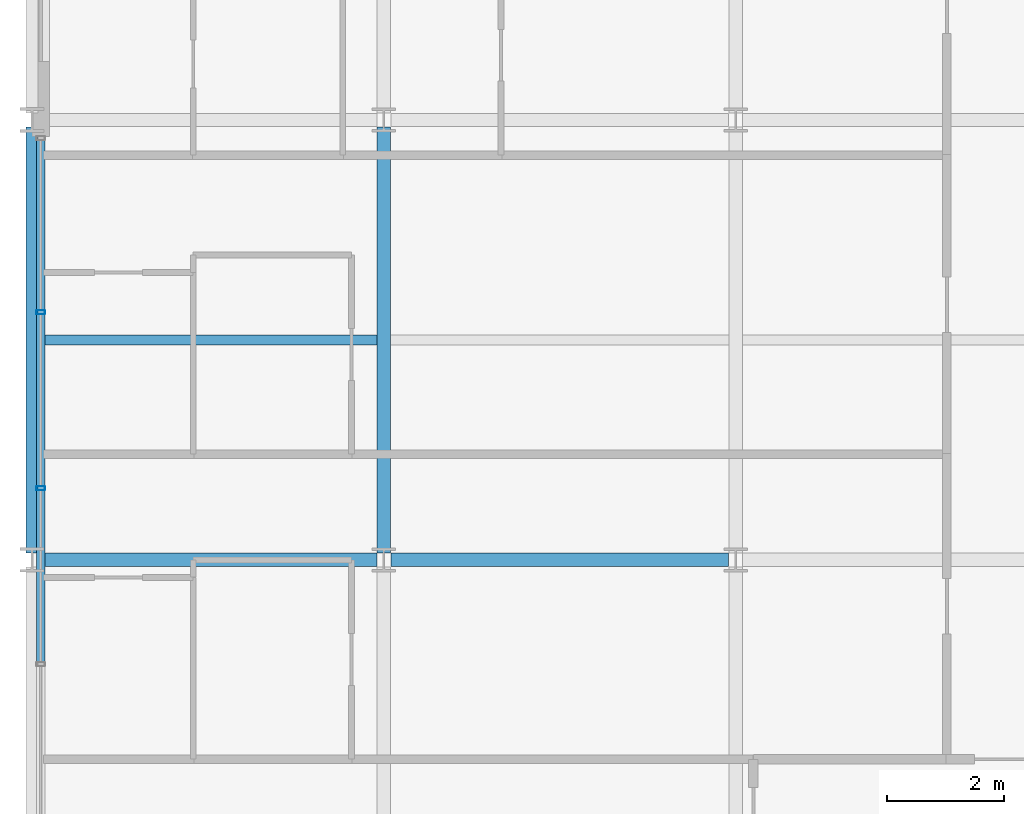
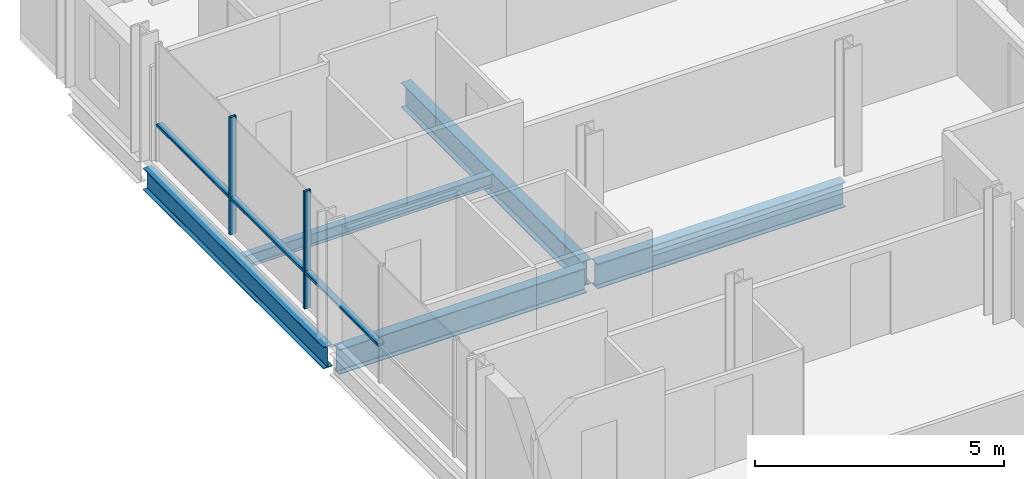
# One storey, part 7 of 41: 5 beams, 5 members, 1 element without a shape of its own.
"""IFC4 building model written with IfcOpenShell, lengths in metres."""

from ifc_helpers import new_model, si_unit, direction, frame, origin, origin_2d, place, context, subcontext, project, spatial, hollow_rectangle, i_section, extrude, material, layer, layer_set, material_profile, profile_set, type_object, element, aggregate, save


model = new_model("IFC4")

# Units and contexts
model_context = context("Model", 3, precision=1e-05, world=origin(), true_north=direction((0.0, 1.0)))
body_context = subcontext(model_context, "Body", "Model", "MODEL_VIEW")
ifc_project = project(units=[si_unit("LENGTHUNIT", "METRE"), si_unit("AREAUNIT", "SQUARE_METRE"), si_unit("VOLUMEUNIT", "CUBIC_METRE"), si_unit("PLANEANGLEUNIT", "RADIAN"), si_unit("MASSUNIT", "GRAM", prefix="KILO")], contexts=[model_context])

# Site, building, storey
site_placement = place(None, origin())
site = spatial("IfcSite", under=ifc_project, at=site_placement, CompositionType="ELEMENT")
building_placement = place(site_placement, origin())
building = spatial("IfcBuilding", under=site, at=building_placement, Name="Brevholm Reach", CompositionType="ELEMENT")
storey_placement = place(building_placement, frame((0.0, 0.0, 151.10009765625)))
storey = spatial("IfcBuildingStorey", under=building, at=storey_placement, Name="L45", CompositionType="ELEMENT", Elevation=151.10009765625)

# Beams
ifc_material_1 = material(Name="Structural Steel S355J2", Category="steel")
ifc_material_profile_1 = material_profile(ifc_material_1, i_section(OverallWidth=0.1650390625, OverallDepth=0.303466796875, WebThickness=0.006103515625, FlangeThickness=0.01025390625, FilletRadius=0.0087890625, at=origin_2d()), Name="UKB 305x165x40")
ifc_profile_set_1 = profile_set([ifc_material_profile_1], Name="Structural Steel S355J2")
beam_type_1 = type_object("IfcBeamType", Name="BM-B305", PredefinedType="BEAM", material=ifc_profile_set_1)
beam_1_placement = place(storey_placement, frame((0.104736328125, 19.75, -0.371826171875), z_axis=(1.0, 0.0, 0.0), x_axis=(0.0, 1.0, 0.0)))
element("IfcBeam", 1, at=beam_1_placement, inside=storey, type_object=beam_type_1, Name="L45 Composite Secondary Floor Beam", PredefinedType="BEAM", context=body_context, shape_type="SweptSolid", body=[
    extrude(i_section(OverallWidth=0.1650390625, OverallDepth=0.303466796875, WebThickness=0.006103515625, FlangeThickness=0.01025390625, FilletRadius=0.0087890625, at=origin_2d()), origin(), (0.0, 0.0, 1.0), 5.78076171875),
])
ifc_material_2 = material(Name="Structural Steel S355J2", Category="steel")
ifc_material_profile_2 = material_profile(ifc_material_2, i_section(OverallWidth=0.209228515625, OverallDepth=0.533203125, WebThickness=0.010009765625, FlangeThickness=0.015625, FilletRadius=0.0126953125, at=origin_2d()), Name="UKB 533x210x92")
ifc_profile_set_2 = profile_set([ifc_material_profile_2], Name="Structural Steel S355J2")
beam_type_2 = type_object("IfcBeamType", Name="BM-SP533", PredefinedType="SPANDREL", material=ifc_profile_set_2)
beam_2_placement = place(storey_placement, frame((0.0, 16.1201171875, -0.486572265625), z_axis=(0.0, 1.0, 0.0), x_axis=(-1.0, 0.0, 0.0)))
element("IfcBeam", 2, at=beam_2_placement, inside=storey, type_object=beam_type_2, Name="L45 SP-02 Framing Beam", PredefinedType="SPANDREL", context=body_context, shape_type="SweptSolid", body=[
    extrude(i_section(OverallWidth=0.209228515625, OverallDepth=0.533203125, WebThickness=0.010009765625, FlangeThickness=0.015625, FilletRadius=0.0126953125, at=origin_2d()), origin(), (0.0, 0.0, 1.0), 7.259765625),
])
ifc_material_3 = material(Name="Structural Steel S355J2", Category="steel")
ifc_material_profile_3 = material_profile(ifc_material_3, i_section(OverallWidth=0.22900390625, OverallDepth=0.6123046875, WebThickness=0.011962890625, FlangeThickness=0.01953125, FilletRadius=0.0126953125, at=origin_2d()), Name="UKB 610x229x125")
ifc_profile_set_3 = profile_set([ifc_material_profile_3], Name="Structural Steel S355J2")
beam_type_3 = type_object("IfcBeamType", Name="BM-SP610", PredefinedType="SPANDREL", material=ifc_profile_set_3)
for number, where, z_axis, x_axis, name in (
    (3, (0.1201171875, 16.0, -0.526123046875), (1.0, 0.0, 0.0), (0.0, 1.0, 0.0), "L45 SP-01 Framing Beam"),
    (4, (6.1201171875, 16.0, -0.526123046875), (1.0, 0.0, 0.0), (0.0, 1.0, 0.0), "L45 SP-01 Framing Beam"),
):
    element("IfcBeam", number, at=place(storey_placement, frame(where, z_axis=z_axis, x_axis=x_axis)), inside=storey, type_object=beam_type_3, Name=name, PredefinedType="SPANDREL", context=body_context, shape_type="SweptSolid", body=[
        extrude(i_section(OverallWidth=0.22900390625, OverallDepth=0.6123046875, WebThickness=0.011962890625, FlangeThickness=0.01953125, FilletRadius=0.0126953125, at=origin_2d()), origin(), (0.0, 0.0, 1.0), 5.759765625),
    ])
beam_3_placement = place(storey_placement, frame((6.0, 16.1201171875, -0.526123046875), z_axis=(0.0, 1.0, 0.0), x_axis=(-1.0, 0.0, 0.0)))
element("IfcBeam", 5, at=beam_3_placement, inside=storey, type_object=beam_type_3, Name="L45 SP-01 Framing Beam", PredefinedType="SPANDREL", context=body_context, shape_type="SweptSolid", body=[
    extrude(i_section(OverallWidth=0.22900390625, OverallDepth=0.6123046875, WebThickness=0.011962890625, FlangeThickness=0.01953125, FilletRadius=0.0126953125, at=origin_2d()), origin(), (0.0, 0.0, 1.0), 7.259765625),
])

# Curtain wall, members
ifc_material_4 = material(Name="Dark Anodised Aluminium 6063-T6 and Solar-Control Glass", Category="aluminium")
ifc_layer = layer(ifc_material_4, 0.14990234375)
ifc_layer_set = layer_set([ifc_layer], Name="Dark Anodised Aluminium 6063-T6 and Solar-Control Glass")
curtain_wall_type = type_object("IfcCurtainWallType", Name="CW-01", PredefinedType="NOTDEFINED", material=ifc_layer_set)
curtain_wall_placement = place(storey_placement, origin())
curtain_wall = element("IfcCurtainWall", 6, at=curtain_wall_placement, inside=storey, type_object=curtain_wall_type, Name="L45 Curtain Wall CW-01", PredefinedType="NOTDEFINED")
ifc_material_5 = material(Name="Dark Anodised Aluminium 6063-T6", Category="aluminium")
ifc_material_profile_4 = material_profile(ifc_material_5, hollow_rectangle(XDim=0.06494140625, YDim=0.14990234375, WallThickness=0.0048828125, InnerFilletRadius=0.0048828125, OuterFilletRadius=0.010009765625, at=origin_2d()), Name="RHS 150x65x5")
ifc_profile_set_4 = profile_set([ifc_material_profile_4], Name="Dark Anodised Aluminium 6063-T6")
member_type_1 = type_object("IfcMemberType", Name="CWM-150", PredefinedType="MULLION", material=ifc_profile_set_4)
member_1_placement = place(storey_placement, frame((0.14990234375, 20.219970703125, 0.0), z_axis=(0.0, 0.0, 1.0), x_axis=(0.0, -1.0, 0.0)))
member_1 = element("IfcMember", 7, at=member_1_placement, type_object=member_type_1, Name="CM-150 Mullion 2", PredefinedType="MULLION", context=body_context, shape_type="SweptSolid", body=[
    extrude(hollow_rectangle(XDim=0.06494140625, YDim=0.14990234375, WallThickness=0.0048828125, InnerFilletRadius=0.0048828125, OuterFilletRadius=0.010009765625, at=origin_2d()), origin(), (0.0, 0.0, 1.0), 2.8798828125),
])
member_2_placement = place(storey_placement, frame((0.14990234375, 17.219970703125, 0.0), z_axis=(0.0, 0.0, 1.0), x_axis=(0.0, -1.0, 0.0)))
member_2 = element("IfcMember", 8, at=member_2_placement, type_object=member_type_1, Name="CM-150 Mullion 3", PredefinedType="MULLION", context=body_context, shape_type="SweptSolid", body=[
    extrude(hollow_rectangle(XDim=0.06494140625, YDim=0.14990234375, WallThickness=0.0048828125, InnerFilletRadius=0.0048828125, OuterFilletRadius=0.010009765625, at=origin_2d()), origin(), (0.0, 0.0, 1.0), 2.8798828125),
])
ifc_material_6 = material(Name="Dark Anodised Aluminium 6063-T6", Category="aluminium")
ifc_material_profile_5 = material_profile(ifc_material_6, hollow_rectangle(XDim=0.06494140625, YDim=0.14990234375, WallThickness=0.0048828125, InnerFilletRadius=0.0048828125, OuterFilletRadius=0.010009765625, at=origin_2d()), Name="RHS 150x65x5")
ifc_profile_set_5 = profile_set([ifc_material_profile_5], Name="Dark Anodised Aluminium 6063-T6")
member_type_2 = type_object("IfcMemberType", Name="CWT-150", PredefinedType="NOTDEFINED", material=ifc_profile_set_5)
member_3_placement = place(storey_placement, frame((0.14990234375, 23.155029296875, 0.89990234375), z_axis=(0.0, -1.0, 0.0), x_axis=(0.0, 0.0, 1.0)))
member_3 = element("IfcMember", 9, at=member_3_placement, type_object=member_type_2, Name="CT-150 Transom 1.1", ObjectType="TRANSOM", PredefinedType="USERDEFINED", context=body_context, shape_type="SweptSolid", body=[
    extrude(hollow_rectangle(XDim=0.06494140625, YDim=0.14990234375, WallThickness=0.0048828125, InnerFilletRadius=0.0048828125, OuterFilletRadius=0.010009765625, at=origin_2d()), origin(), (0.0, 0.0, 1.0), 2.902587890625),
])
member_4_placement = place(storey_placement, frame((0.14990234375, 20.1875, 0.89990234375), z_axis=(0.0, -1.0, 0.0), x_axis=(0.0, 0.0, 1.0)))
member_4 = element("IfcMember", 10, at=member_4_placement, type_object=member_type_2, Name="CT-150 Transom 2.1", ObjectType="TRANSOM", PredefinedType="USERDEFINED", context=body_context, shape_type="SweptSolid", body=[
    extrude(hollow_rectangle(XDim=0.06494140625, YDim=0.14990234375, WallThickness=0.0048828125, InnerFilletRadius=0.0048828125, OuterFilletRadius=0.010009765625, at=origin_2d()), origin(), (0.0, 0.0, 1.0), 2.93505859375),
])
member_5_placement = place(storey_placement, frame((0.14990234375, 17.1875, 0.89990234375), z_axis=(0.0, -1.0, 0.0), x_axis=(0.0, 0.0, 1.0)))
member_5 = element("IfcMember", 11, at=member_5_placement, type_object=member_type_2, Name="CT-150 Transom 3.1", ObjectType="TRANSOM", PredefinedType="USERDEFINED", context=body_context, shape_type="SweptSolid", body=[
    extrude(hollow_rectangle(XDim=0.06494140625, YDim=0.14990234375, WallThickness=0.0048828125, InnerFilletRadius=0.0048828125, OuterFilletRadius=0.010009765625, at=origin_2d()), origin(), (0.0, 0.0, 1.0), 2.93505859375),
])
aggregate(curtain_wall, [member_1, member_2, member_3, member_4, member_5])

save(model, "model.ifc")
